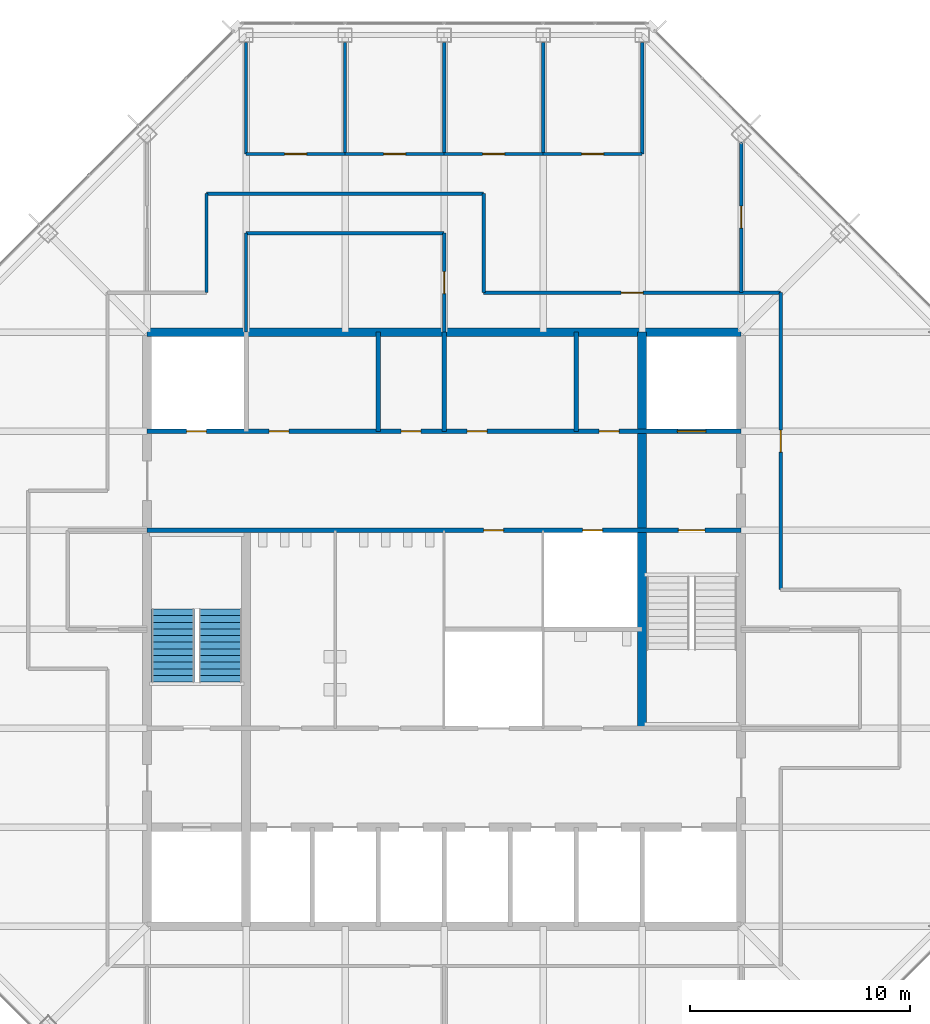
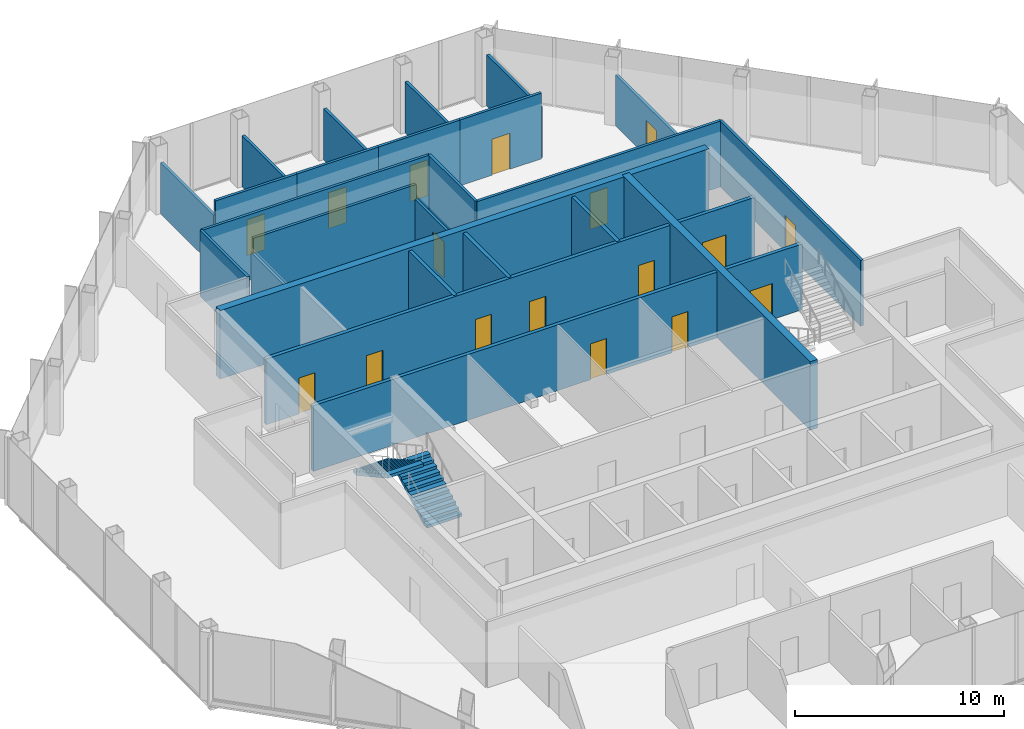
# One storey, part 11 of 14: 25 walls, 17 doors, 2 stair flights, 17 openings, 1 element without a shape of its own.
"""IFC4 building model written with IfcOpenShell, lengths in metres."""

from ifc_helpers import new_model, si_unit, direction, frame, frame_2d, origin, place, context, subcontext, project, spatial, polyline, rectangle, outline, extrude, material, layer, layer_set, type_object, element, fill, aggregate, save


model = new_model("IFC4")

# Units and contexts
model_context = context("Model", 3, precision=1e-05, world=origin(), true_north=direction((0.0, 1.0)))
body_context = subcontext(model_context, "Body", "Model", "MODEL_VIEW")
ifc_project = project(units=[si_unit("LENGTHUNIT", "METRE"), si_unit("AREAUNIT", "SQUARE_METRE"), si_unit("VOLUMEUNIT", "CUBIC_METRE"), si_unit("PLANEANGLEUNIT", "RADIAN"), si_unit("MASSUNIT", "GRAM", prefix="KILO")], contexts=[model_context])

# Site, building, storey
site_placement = place(None, origin())
site = spatial("IfcSite", under=ifc_project, at=site_placement, CompositionType="ELEMENT")
building_placement = place(site_placement, origin())
building = spatial("IfcBuilding", under=site, at=building_placement, Name="Corais Broadcast Tower", CompositionType="ELEMENT")
storey_placement = place(building_placement, frame((0.0, 0.0, 246.60009765625)))
storey = spatial("IfcBuildingStorey", under=building, at=storey_placement, Name="L57", CompositionType="ELEMENT", Elevation=246.60009765625)

# Wall, openings, doors
ifc_material_1 = material(Name="Concrete blockwork class A, grouted, two-hour", Category="masonry")
ifc_layer_1 = layer(ifc_material_1, 0.199951171875)
ifc_layer_set_1 = layer_set([ifc_layer_1], Name="Concrete blockwork class A, grouted, two-hour")
wall_type_1 = type_object("IfcWallType", Name="Core lobby wall 200", PredefinedType="SOLIDWALL", material=ifc_layer_set_1)
wall_1_placement = place(storey_placement, frame((13.5, 31.5, 0.0), z_axis=(0.0, 0.0, 1.0), x_axis=(1.0, 0.0, 0.0)))
wall_1 = element("IfcWall", 1, at=wall_1_placement, inside=storey, type_object=wall_type_1, Name="CL3 core lobby wall Y315 L57", PredefinedType="SOLIDWALL", context=body_context, shape_type="SweptSolid", body=[
    extrude(rectangle(XDim=27.0, YDim=0.199951171875, at=frame_2d((13.5, 0.0))), origin(), (0.0, 0.0, 1.0), 3.83984375),
])
opening_1_placement = place(wall_1_placement, frame((24.14990234375, 0.0, 0.0)))
opening_1 = element("IfcOpeningElement", 2, at=opening_1_placement, cuts=wall_1, Name="Opening FD1", PredefinedType="OPENING", context=body_context, shape_type="SweptSolid", body=[
    extrude(rectangle(XDim=1.199951171875, YDim=2.10009765625, at=frame_2d((0.60009765625, 1.050048828125))), frame((0.0, 0.10986328125, 0.0), z_axis=(0.0, -1.0, 0.0), x_axis=(1.0, 0.0, 0.0)), (0.0, 0.0, 1.0), 0.219970703125),
])
opening_2_placement = place(wall_1_placement, frame((15.300048828125, 0.0, 0.0)))
opening_2 = element("IfcOpeningElement", 3, at=opening_2_placement, cuts=wall_1, Name="Opening RD1", PredefinedType="OPENING", context=body_context, shape_type="SweptSolid", body=[
    extrude(rectangle(XDim=0.89990234375, YDim=2.10009765625, at=frame_2d((0.449951171875, 1.050048828125))), frame((0.0, 0.10986328125, 0.0), z_axis=(0.0, -1.0, 0.0), x_axis=(1.0, 0.0, 0.0)), (0.0, 0.0, 1.0), 0.219970703125),
])
opening_3_placement = place(wall_1_placement, frame((19.800048828125, 0.0, 0.0)))
opening_3 = element("IfcOpeningElement", 4, at=opening_3_placement, cuts=wall_1, Name="Opening RD1", PredefinedType="OPENING", context=body_context, shape_type="SweptSolid", body=[
    extrude(rectangle(XDim=0.89990234375, YDim=2.10009765625, at=frame_2d((0.449951171875, 1.050048828125))), frame((0.0, 0.10986328125, 0.0), z_axis=(0.0, -1.0, 0.0), x_axis=(1.0, 0.0, 0.0)), (0.0, 0.0, 1.0), 0.219970703125),
])
ifc_material_2 = material(Name="Steel fire door", Category="steel")
door_type_1 = type_object("IfcDoorType", Name="Fire door 1200x2100", OperationType="SINGLE_SWING_LEFT", PredefinedType="DOOR", material=ifc_material_2)
door_1_placement = place(opening_1_placement, origin())
door_1 = element("IfcDoor", 5, at=door_1_placement, inside=storey, type_object=door_type_1, Name="FD1 stair B door L57", OperationType="SINGLE_SWING_RIGHT", OverallHeight=2.10009765625, OverallWidth=1.199951171875, PredefinedType="DOOR", context=body_context, shape_type="SweptSolid", body=[
    extrude(rectangle(XDim=1.199951171875, YDim=2.10009765625, at=frame_2d((0.60009765625, 1.050048828125))), frame((0.0, 0.02490234375, 0.0), z_axis=(0.0, -1.0, 0.0), x_axis=(1.0, 0.0, 0.0)), (0.0, 0.0, 1.0), 0.050048828125),
])
fill(opening_1, door_1)
ifc_material_3 = material(Name="Steel fire door", Category="steel")
door_type_2 = type_object("IfcDoorType", Name="Riser door 900x2100", OperationType="SINGLE_SWING_LEFT", PredefinedType="DOOR", material=ifc_material_3)
door_2_placement = place(opening_2_placement, origin())
door_2 = element("IfcDoor", 6, at=door_2_placement, inside=storey, type_object=door_type_2, Name="RD1 print room door L57", OperationType="SINGLE_SWING_RIGHT", OverallHeight=2.10009765625, OverallWidth=0.89990234375, PredefinedType="DOOR", context=body_context, shape_type="SweptSolid", body=[
    extrude(rectangle(XDim=0.89990234375, YDim=2.10009765625, at=frame_2d((0.449951171875, 1.050048828125))), frame((0.0, 0.02490234375, 0.0), z_axis=(0.0, -1.0, 0.0), x_axis=(1.0, 0.0, 0.0)), (0.0, 0.0, 1.0), 0.050048828125),
])
fill(opening_2, door_2)
door_3_placement = place(opening_3_placement, origin())
door_3 = element("IfcDoor", 7, at=door_3_placement, inside=storey, type_object=door_type_2, Name="RD1 riser door L57", OperationType="SINGLE_SWING_RIGHT", OverallHeight=2.10009765625, OverallWidth=0.89990234375, PredefinedType="DOOR", context=body_context, shape_type="SweptSolid", body=[
    extrude(rectangle(XDim=0.89990234375, YDim=2.10009765625, at=frame_2d((0.449951171875, 1.050048828125))), frame((0.0, 0.02490234375, 0.0), z_axis=(0.0, -1.0, 0.0), x_axis=(1.0, 0.0, 0.0)), (0.0, 0.0, 1.0), 0.050048828125),
])
fill(opening_3, door_3)

# Walls
ifc_material_4 = material(Name="Concrete C50/60", Category="concrete")
ifc_layer_2 = layer(ifc_material_4, 0.39990234375)
ifc_layer_set_2 = layer_set([ifc_layer_2], Name="Concrete C50/60")
wall_type_2 = type_object("IfcWallType", Name="Core wall 400", PredefinedType="SHEAR", material=ifc_layer_set_2)
wall_2_placement = place(storey_placement, frame((40.5, 40.5, 0.0), z_axis=(0.0, 0.0, 1.0), x_axis=(-1.0, 0.0, 0.0)))
element("IfcWall", 8, at=wall_2_placement, inside=storey, type_object=wall_type_2, Name="CR400 core wall N L57", PredefinedType="SHEAR", context=body_context, shape_type="SweptSolid", body=[
    extrude(rectangle(XDim=27.0, YDim=0.39990234375, at=frame_2d((13.5, 0.0))), origin(), (0.0, 0.0, 1.0), 4.0),
])
wall_3_placement = place(storey_placement, frame((36.0, 22.5, 0.0), z_axis=(0.0, 0.0, 1.0), x_axis=(0.0, 1.0, 0.0)))
element("IfcWall", 9, at=wall_3_placement, inside=storey, type_object=wall_type_2, Name="CR400 core wall X36B L57", PredefinedType="SHEAR", context=body_context, shape_type="SweptSolid", body=[
    extrude(rectangle(XDim=18.0, YDim=0.39990234375, at=frame_2d((9.0, 0.0))), origin(), (0.0, 0.0, 1.0), 4.0),
])

# Wall, openings, doors
ifc_material_5 = material(Name="Concrete blockwork class A, grouted, four-hour", Category="masonry")
ifc_layer_3 = layer(ifc_material_5, 0.199951171875)
ifc_layer_set_3 = layer_set([ifc_layer_3], Name="Concrete blockwork class A, grouted, four-hour")
wall_type_3 = type_object("IfcWallType", Name="Emergency lift shaft wall 200", PredefinedType="SOLIDWALL", material=ifc_layer_set_3)
wall_4_placement = place(storey_placement, frame((13.5, 36.0, 0.0), z_axis=(0.0, 0.0, 1.0), x_axis=(1.0, 0.0, 0.0)))
wall_4 = element("IfcWall", 10, at=wall_4_placement, inside=storey, type_object=wall_type_3, Name="LS3 core lobby wall Y36 L57", PredefinedType="SOLIDWALL", context=body_context, shape_type="SweptSolid", body=[
    extrude(rectangle(XDim=27.0, YDim=0.199951171875, at=frame_2d((13.5, 0.0))), origin(), (0.0, 0.0, 1.0), 3.83984375),
])
opening_4_placement = place(wall_4_placement, frame((1.800048828125, 0.0, 0.0)))
opening_4 = element("IfcOpeningElement", 11, at=opening_4_placement, cuts=wall_4, Name="Opening RD1", PredefinedType="OPENING", context=body_context, shape_type="SweptSolid", body=[
    extrude(rectangle(XDim=0.89990234375, YDim=2.10009765625, at=frame_2d((0.449951171875, 1.050048828125))), frame((0.0, 0.10986328125, 0.0), z_axis=(0.0, -1.0, 0.0), x_axis=(1.0, 0.0, 0.0)), (0.0, 0.0, 1.0), 0.219970703125),
])
opening_5_placement = place(wall_4_placement, frame((5.550048828125, 0.0, 0.0)))
opening_5 = element("IfcOpeningElement", 12, at=opening_5_placement, cuts=wall_4, Name="Opening RD1", PredefinedType="OPENING", context=body_context, shape_type="SweptSolid", body=[
    extrude(rectangle(XDim=0.89990234375, YDim=2.10009765625, at=frame_2d((0.449951171875, 1.050048828125))), frame((0.0, 0.10986328125, 0.0), z_axis=(0.0, -1.0, 0.0), x_axis=(1.0, 0.0, 0.0)), (0.0, 0.0, 1.0), 0.219970703125),
])
opening_6_placement = place(wall_4_placement, frame((11.550048828125, 0.0, 0.0)))
opening_6 = element("IfcOpeningElement", 13, at=opening_6_placement, cuts=wall_4, Name="Opening RD1", PredefinedType="OPENING", context=body_context, shape_type="SweptSolid", body=[
    extrude(rectangle(XDim=0.89990234375, YDim=2.10009765625, at=frame_2d((0.449951171875, 1.050048828125))), frame((0.0, 0.10986328125, 0.0), z_axis=(0.0, -1.0, 0.0), x_axis=(1.0, 0.0, 0.0)), (0.0, 0.0, 1.0), 0.219970703125),
])
opening_7_placement = place(wall_4_placement, frame((14.550048828125, 0.0, 0.0)))
opening_7 = element("IfcOpeningElement", 14, at=opening_7_placement, cuts=wall_4, Name="Opening RD1", PredefinedType="OPENING", context=body_context, shape_type="SweptSolid", body=[
    extrude(rectangle(XDim=0.89990234375, YDim=2.10009765625, at=frame_2d((0.449951171875, 1.050048828125))), frame((0.0, 0.10986328125, 0.0), z_axis=(0.0, -1.0, 0.0), x_axis=(1.0, 0.0, 0.0)), (0.0, 0.0, 1.0), 0.219970703125),
])
opening_8_placement = place(wall_4_placement, frame((20.550048828125, 0.0, 0.0)))
opening_8 = element("IfcOpeningElement", 15, at=opening_8_placement, cuts=wall_4, Name="Opening RD1", PredefinedType="OPENING", context=body_context, shape_type="SweptSolid", body=[
    extrude(rectangle(XDim=0.89990234375, YDim=2.10009765625, at=frame_2d((0.449951171875, 1.050048828125))), frame((0.0, 0.10986328125, 0.0), z_axis=(0.0, -1.0, 0.0), x_axis=(1.0, 0.0, 0.0)), (0.0, 0.0, 1.0), 0.219970703125),
])
opening_9_placement = place(wall_4_placement, frame((24.10009765625, 0.0, 0.0)))
opening_9 = element("IfcOpeningElement", 16, at=opening_9_placement, cuts=wall_4, Name="Opening LD2", PredefinedType="OPENING", context=body_context, shape_type="SweptSolid", body=[
    extrude(rectangle(XDim=1.300048828125, YDim=2.199951171875, at=frame_2d((0.64990234375, 1.10009765625))), frame((0.0, 0.10986328125, 0.0), z_axis=(0.0, -1.0, 0.0), x_axis=(1.0, 0.0, 0.0)), (0.0, 0.0, 1.0), 0.219970703125),
])
ifc_material_6 = material(Name="Stainless steel lift door", Category="steel")
door_type_3 = type_object("IfcDoorType", Name="Lift landing door 1300x2200", OperationType="SLIDING_TO_LEFT", PredefinedType="DOOR", material=ifc_material_6)
door_4_placement = place(opening_9_placement, origin())
door_4 = element("IfcDoor", 17, at=door_4_placement, inside=storey, type_object=door_type_3, Name="LD2 FL2 landing door L57", OperationType="SLIDING_TO_LEFT", OverallHeight=2.199951171875, OverallWidth=1.300048828125, PredefinedType="DOOR", context=body_context, shape_type="SweptSolid", body=[
    extrude(rectangle(XDim=1.300048828125, YDim=2.199951171875, at=frame_2d((0.64990234375, 1.10009765625))), frame((0.0, 0.02490234375, 0.0), z_axis=(0.0, -1.0, 0.0), x_axis=(1.0, 0.0, 0.0)), (0.0, 0.0, 1.0), 0.050048828125),
])
fill(opening_9, door_4)
door_5_placement = place(opening_4_placement, origin())
door_5 = element("IfcDoor", 18, at=door_5_placement, inside=storey, type_object=door_type_2, Name="RD1 riser door L57", OperationType="SINGLE_SWING_LEFT", OverallHeight=2.10009765625, OverallWidth=0.89990234375, PredefinedType="DOOR", context=body_context, shape_type="SweptSolid", body=[
    extrude(rectangle(XDim=0.89990234375, YDim=2.10009765625, at=frame_2d((0.449951171875, 1.050048828125))), frame((0.0, 0.02490234375, 0.0), z_axis=(0.0, -1.0, 0.0), x_axis=(1.0, 0.0, 0.0)), (0.0, 0.0, 1.0), 0.050048828125),
])
fill(opening_4, door_5)
door_6_placement = place(opening_5_placement, origin())
door_6 = element("IfcDoor", 19, at=door_6_placement, inside=storey, type_object=door_type_2, Name="RD1 media store door L57", OperationType="SINGLE_SWING_LEFT", OverallHeight=2.10009765625, OverallWidth=0.89990234375, PredefinedType="DOOR", context=body_context, shape_type="SweptSolid", body=[
    extrude(rectangle(XDim=0.89990234375, YDim=2.10009765625, at=frame_2d((0.449951171875, 1.050048828125))), frame((0.0, 0.02490234375, 0.0), z_axis=(0.0, -1.0, 0.0), x_axis=(1.0, 0.0, 0.0)), (0.0, 0.0, 1.0), 0.050048828125),
])
fill(opening_5, door_6)
door_7_placement = place(opening_6_placement, origin())
door_7 = element("IfcDoor", 20, at=door_7_placement, inside=storey, type_object=door_type_2, Name="RD1 tea point door L57", OperationType="SINGLE_SWING_LEFT", OverallHeight=2.10009765625, OverallWidth=0.89990234375, PredefinedType="DOOR", context=body_context, shape_type="SweptSolid", body=[
    extrude(rectangle(XDim=0.89990234375, YDim=2.10009765625, at=frame_2d((0.449951171875, 1.050048828125))), frame((0.0, 0.02490234375, 0.0), z_axis=(0.0, -1.0, 0.0), x_axis=(1.0, 0.0, 0.0)), (0.0, 0.0, 1.0), 0.050048828125),
])
fill(opening_6, door_7)
door_8_placement = place(opening_7_placement, origin())
door_8 = element("IfcDoor", 21, at=door_8_placement, inside=storey, type_object=door_type_2, Name="RD1 locker room door L57", OperationType="SINGLE_SWING_RIGHT", OverallHeight=2.10009765625, OverallWidth=0.89990234375, PredefinedType="DOOR", context=body_context, shape_type="SweptSolid", body=[
    extrude(rectangle(XDim=0.89990234375, YDim=2.10009765625, at=frame_2d((0.449951171875, 1.050048828125))), frame((0.0, 0.02490234375, 0.0), z_axis=(0.0, -1.0, 0.0), x_axis=(1.0, 0.0, 0.0)), (0.0, 0.0, 1.0), 0.050048828125),
])
fill(opening_7, door_8)
door_9_placement = place(opening_8_placement, origin())
door_9 = element("IfcDoor", 22, at=door_9_placement, inside=storey, type_object=door_type_2, Name="RD1 wellness room door L57", OperationType="SINGLE_SWING_RIGHT", OverallHeight=2.10009765625, OverallWidth=0.89990234375, PredefinedType="DOOR", context=body_context, shape_type="SweptSolid", body=[
    extrude(rectangle(XDim=0.89990234375, YDim=2.10009765625, at=frame_2d((0.449951171875, 1.050048828125))), frame((0.0, 0.02490234375, 0.0), z_axis=(0.0, -1.0, 0.0), x_axis=(1.0, 0.0, 0.0)), (0.0, 0.0, 1.0), 0.050048828125),
])
fill(opening_8, door_9)

# Wall, opening, door
ifc_material_7 = material(Name="Gypsum board on steel studs", Category="steel")
ifc_layer_4 = layer(ifc_material_7, 0.14990234375)
ifc_layer_set_4 = layer_set([ifc_layer_4], Name="Gypsum board on steel studs")
wall_type_4 = type_object("IfcWallType", Name="Partition 150", PredefinedType="PARTITIONING", material=ifc_layer_set_4)
wall_5_placement = place(storey_placement, frame((42.300048828125, 28.800048828125, 0.0), z_axis=(0.0, 0.0, 1.0), x_axis=(0.0, 1.0, 0.0)))
wall_5 = element("IfcWall", 23, at=wall_5_placement, inside=storey, type_object=wall_type_4, Name="IW3 corridor wall L57", PredefinedType="PARTITIONING", context=body_context, shape_type="SweptSolid", body=[
    extrude(rectangle(XDim=13.5, YDim=0.14990234375, at=frame_2d((6.75, 0.0))), origin(), (0.0, 0.0, 1.0), 3.83984375),
])
opening_10_placement = place(wall_5_placement, frame((6.25, 0.0, 0.0)))
opening_10 = element("IfcOpeningElement", 24, at=opening_10_placement, cuts=wall_5, Name="Opening D1", PredefinedType="OPENING", context=body_context, shape_type="SweptSolid", body=[
    extrude(rectangle(XDim=1.0, YDim=2.10009765625, at=frame_2d((0.5, 1.050048828125))), frame((0.0, 0.0849609375, 0.0), z_axis=(0.0, -1.0, 0.0), x_axis=(1.0, 0.0, 0.0)), (0.0, 0.0, 1.0), 0.169921875),
])
ifc_material_8 = material(Name="Timber door", Category="wood")
door_type_4 = type_object("IfcDoorType", Name="Single door 1000x2100", OperationType="SINGLE_SWING_LEFT", PredefinedType="DOOR", material=ifc_material_8)
door_10_placement = place(opening_10_placement, origin())
door_10 = element("IfcDoor", 25, at=door_10_placement, inside=storey, type_object=door_type_4, Name="D1 workplace door L57", OperationType="SINGLE_SWING_LEFT", OverallHeight=2.10009765625, OverallWidth=1.0, PredefinedType="DOOR", context=body_context, shape_type="SweptSolid", body=[
    extrude(rectangle(XDim=1.0, YDim=2.10009765625, at=frame_2d((0.5, 1.050048828125))), frame((0.0, 0.02490234375, 0.0), z_axis=(0.0, -1.0, 0.0), x_axis=(1.0, 0.0, 0.0)), (0.0, 0.0, 1.0), 0.050048828125),
])
fill(opening_10, door_10)

wall_6_placement = place(storey_placement, frame((42.300048828125, 42.300048828125, 0.0), z_axis=(0.0, 0.0, 1.0), x_axis=(-1.0, 0.0, 0.0)))
wall_6 = element("IfcWall", 26, at=wall_6_placement, inside=storey, type_object=wall_type_4, Name="IW3 corridor wall L57", PredefinedType="PARTITIONING", context=body_context, shape_type="SweptSolid", body=[
    extrude(rectangle(XDim=13.5, YDim=0.14990234375, at=frame_2d((6.75, 0.0))), origin(), (0.0, 0.0, 1.0), 3.83984375),
])
opening_11_placement = place(wall_6_placement, frame((6.25, 0.0, 0.0)))
opening_11 = element("IfcOpeningElement", 27, at=opening_11_placement, cuts=wall_6, Name="Opening D1", PredefinedType="OPENING", context=body_context, shape_type="SweptSolid", body=[
    extrude(rectangle(XDim=1.0, YDim=2.10009765625, at=frame_2d((0.5, 1.050048828125))), frame((0.0, 0.0849609375, 0.0), z_axis=(0.0, -1.0, 0.0), x_axis=(1.0, 0.0, 0.0)), (0.0, 0.0, 1.0), 0.169921875),
])
door_11_placement = place(opening_11_placement, origin())
door_11 = element("IfcDoor", 28, at=door_11_placement, inside=storey, type_object=door_type_4, Name="D1 workplace door L57", OperationType="SINGLE_SWING_LEFT", OverallHeight=2.10009765625, OverallWidth=1.0, PredefinedType="DOOR", context=body_context, shape_type="SweptSolid", body=[
    extrude(rectangle(XDim=1.0, YDim=2.10009765625, at=frame_2d((0.5, 1.050048828125))), frame((0.0, 0.02490234375, 0.0), z_axis=(0.0, -1.0, 0.0), x_axis=(1.0, 0.0, 0.0)), (0.0, 0.0, 1.0), 0.050048828125),
])
fill(opening_11, door_11)

# Walls
wall_7_placement = place(storey_placement, frame((28.800048828125, 46.800048828125, 0.0), z_axis=(0.0, 0.0, 1.0), x_axis=(-1.0, 0.0, 0.0)))
element("IfcWall", 29, at=wall_7_placement, inside=storey, type_object=wall_type_4, Name="IW3 corridor wall L57", PredefinedType="PARTITIONING", context=body_context, shape_type="SweptSolid", body=[
    extrude(rectangle(XDim=12.60009765625, YDim=0.14990234375, at=frame_2d((6.300048828125, 0.0))), origin(), (0.0, 0.0, 1.0), 3.83984375),
])
for number, where, z_axis, x_axis, name in (
    (30, (16.199951171875, 46.800048828125, 0.0), (0.0, 0.0, 1.0), (0.0, -1.0, 0.0), "IW3 corridor wall L57"),
    (31, (28.800048828125, 42.300048828125, 0.0), (0.0, 0.0, 1.0), (0.0, 1.0, 0.0), "IW3 corridor wall L57"),
):
    element("IfcWall", number, at=place(storey_placement, frame(where, z_axis=z_axis, x_axis=x_axis)), inside=storey, type_object=wall_type_4, Name=name, PredefinedType="PARTITIONING", context=body_context, shape_type="SweptSolid", body=[
        extrude(rectangle(XDim=4.5, YDim=0.14990234375, at=frame_2d((2.25, 0.0))), origin(), (0.0, 0.0, 1.0), 3.83984375),
    ])

# Wall, opening, door
wall_8_placement = place(storey_placement, frame((27.0, 40.5, 0.0), z_axis=(0.0, 0.0, 1.0), x_axis=(0.0, 1.0, 0.0)))
wall_8 = element("IfcWall", 32, at=wall_8_placement, inside=storey, type_object=wall_type_4, Name="IW3 partition L57", PredefinedType="PARTITIONING", context=body_context, shape_type="SweptSolid", body=[
    extrude(rectangle(XDim=4.5, YDim=0.14990234375, at=frame_2d((2.25, 0.0))), origin(), (0.0, 0.0, 1.0), 2.989013671875),
])
opening_12_placement = place(wall_8_placement, frame((1.75, 0.0, 0.0)))
opening_12 = element("IfcOpeningElement", 33, at=opening_12_placement, cuts=wall_8, Name="Opening D1", PredefinedType="OPENING", context=body_context, shape_type="SweptSolid", body=[
    extrude(rectangle(XDim=1.0, YDim=2.10009765625, at=frame_2d((0.5, 1.050048828125))), frame((0.0, 0.0849609375, 0.0), z_axis=(0.0, -1.0, 0.0), x_axis=(1.0, 0.0, 0.0)), (0.0, 0.0, 1.0), 0.169921875),
])
door_12_placement = place(opening_12_placement, origin())
door_12 = element("IfcDoor", 34, at=door_12_placement, inside=storey, type_object=door_type_4, Name="D1 Screening meeting room door", OperationType="SINGLE_SWING_LEFT", OverallHeight=2.10009765625, OverallWidth=1.0, PredefinedType="DOOR", context=body_context, shape_type="SweptSolid", body=[
    extrude(rectangle(XDim=1.0, YDim=2.10009765625, at=frame_2d((0.5, 1.050048828125))), frame((0.0, 0.02490234375, 0.0), z_axis=(0.0, -1.0, 0.0), x_axis=(1.0, 0.0, 0.0)), (0.0, 0.0, 1.0), 0.050048828125),
])
fill(opening_12, door_12)

# Walls
wall_9_placement = place(storey_placement, frame((27.0, 45.0, 0.0), z_axis=(0.0, 0.0, 1.0), x_axis=(-1.0, 0.0, 0.0)))
element("IfcWall", 35, at=wall_9_placement, inside=storey, type_object=wall_type_4, Name="IW3 partition L57", PredefinedType="PARTITIONING", context=body_context, shape_type="SweptSolid", body=[
    extrude(rectangle(XDim=9.0, YDim=0.14990234375, at=frame_2d((4.5, 0.0))), origin(), (0.0, 0.0, 1.0), 3.83984375),
])
wall_10_placement = place(storey_placement, frame((18.0, 45.0, 0.0), z_axis=(0.0, 0.0, 1.0), x_axis=(0.0, -1.0, 0.0)))
element("IfcWall", 36, at=wall_10_placement, inside=storey, type_object=wall_type_4, Name="IW3 partition L57", PredefinedType="PARTITIONING", context=body_context, shape_type="SweptSolid", body=[
    extrude(rectangle(XDim=4.5, YDim=0.14990234375, at=frame_2d((2.25, 0.0))), origin(), (0.0, 0.0, 1.0), 2.989013671875),
])

# Wall, opening, door
wall_11_placement = place(storey_placement, frame((18.0, 48.60009765625, 0.0), z_axis=(0.0, 0.0, 1.0), x_axis=(1.0, 0.0, 0.0)))
wall_11 = element("IfcWall", 37, at=wall_11_placement, inside=storey, type_object=wall_type_4, Name="IW3 partition L57", PredefinedType="PARTITIONING", context=body_context, shape_type="SweptSolid", body=[
    extrude(rectangle(XDim=4.5, YDim=0.14990234375, at=frame_2d((2.25, 0.0))), origin(), (0.0, 0.0, 1.0), 3.83984375),
])
opening_13_placement = place(wall_11_placement, frame((1.75, 0.0, 0.0)))
opening_13 = element("IfcOpeningElement", 38, at=opening_13_placement, cuts=wall_11, Name="Opening D1", PredefinedType="OPENING", context=body_context, shape_type="SweptSolid", body=[
    extrude(rectangle(XDim=1.0, YDim=2.10009765625, at=frame_2d((0.5, 1.050048828125))), frame((0.0, 0.0849609375, 0.0), z_axis=(0.0, -1.0, 0.0), x_axis=(1.0, 0.0, 0.0)), (0.0, 0.0, 1.0), 0.169921875),
])
door_13_placement = place(opening_13_placement, origin())
door_13 = element("IfcDoor", 39, at=door_13_placement, inside=storey, type_object=door_type_4, Name="D1 Negotiation meeting room door", OperationType="SINGLE_SWING_LEFT", OverallHeight=2.10009765625, OverallWidth=1.0, PredefinedType="DOOR", context=body_context, shape_type="SweptSolid", body=[
    extrude(rectangle(XDim=1.0, YDim=2.10009765625, at=frame_2d((0.5, 1.050048828125))), frame((0.0, 0.02490234375, 0.0), z_axis=(0.0, -1.0, 0.0), x_axis=(1.0, 0.0, 0.0)), (0.0, 0.0, 1.0), 0.050048828125),
])
fill(opening_13, door_13)

# Walls
for number, where, z_axis, x_axis, name in (
    (40, (22.5, 48.60009765625, 0.0), (0.0, 0.0, 1.0), (0.0, 1.0, 0.0), "IW3 partition L57"),
    (41, (18.0, 53.6650390625, 0.0), (0.0, 0.0, 1.0), (0.0, -1.0, 0.0), "IW3 partition L57"),
):
    element("IfcWall", number, at=place(storey_placement, frame(where, z_axis=z_axis, x_axis=x_axis)), inside=storey, type_object=wall_type_4, Name=name, PredefinedType="PARTITIONING", context=body_context, shape_type="SweptSolid", body=[
        extrude(rectangle(XDim=5.06494140625, YDim=0.14990234375, at=frame_2d((2.532470703125, 0.0))), origin(), (0.0, 0.0, 1.0), 2.989013671875),
    ])

# Wall, opening, door
wall_12_placement = place(storey_placement, frame((22.5, 48.60009765625, 0.0), z_axis=(0.0, 0.0, 1.0), x_axis=(1.0, 0.0, 0.0)))
wall_12 = element("IfcWall", 42, at=wall_12_placement, inside=storey, type_object=wall_type_4, Name="IW3 partition L57", PredefinedType="PARTITIONING", context=body_context, shape_type="SweptSolid", body=[
    extrude(rectangle(XDim=4.5, YDim=0.14990234375, at=frame_2d((2.25, 0.0))), origin(), (0.0, 0.0, 1.0), 3.83984375),
])
opening_14_placement = place(wall_12_placement, frame((1.75, 0.0, 0.0)))
opening_14 = element("IfcOpeningElement", 43, at=opening_14_placement, cuts=wall_12, Name="Opening D1", PredefinedType="OPENING", context=body_context, shape_type="SweptSolid", body=[
    extrude(rectangle(XDim=1.0, YDim=2.10009765625, at=frame_2d((0.5, 1.050048828125))), frame((0.0, 0.0849609375, 0.0), z_axis=(0.0, -1.0, 0.0), x_axis=(1.0, 0.0, 0.0)), (0.0, 0.0, 1.0), 0.169921875),
])
door_14_placement = place(opening_14_placement, origin())
door_14 = element("IfcDoor", 44, at=door_14_placement, inside=storey, type_object=door_type_4, Name="D1 Negotiation meeting room door", OperationType="SINGLE_SWING_LEFT", OverallHeight=2.10009765625, OverallWidth=1.0, PredefinedType="DOOR", context=body_context, shape_type="SweptSolid", body=[
    extrude(rectangle(XDim=1.0, YDim=2.10009765625, at=frame_2d((0.5, 1.050048828125))), frame((0.0, 0.02490234375, 0.0), z_axis=(0.0, -1.0, 0.0), x_axis=(1.0, 0.0, 0.0)), (0.0, 0.0, 1.0), 0.050048828125),
])
fill(opening_14, door_14)

# Wall
wall_13_placement = place(storey_placement, frame((27.0, 48.60009765625, 0.0), z_axis=(0.0, 0.0, 1.0), x_axis=(0.0, 1.0, 0.0)))
element("IfcWall", 45, at=wall_13_placement, inside=storey, type_object=wall_type_4, Name="IW3 partition L57", PredefinedType="PARTITIONING", context=body_context, shape_type="SweptSolid", body=[
    extrude(rectangle(XDim=5.06494140625, YDim=0.14990234375, at=frame_2d((2.532470703125, 0.0))), origin(), (0.0, 0.0, 1.0), 2.989013671875),
])

# Wall, opening, door
wall_14_placement = place(storey_placement, frame((27.0, 48.60009765625, 0.0), z_axis=(0.0, 0.0, 1.0), x_axis=(1.0, 0.0, 0.0)))
wall_14 = element("IfcWall", 46, at=wall_14_placement, inside=storey, type_object=wall_type_4, Name="IW3 partition L57", PredefinedType="PARTITIONING", context=body_context, shape_type="SweptSolid", body=[
    extrude(rectangle(XDim=4.5, YDim=0.14990234375, at=frame_2d((2.25, 0.0))), origin(), (0.0, 0.0, 1.0), 3.83984375),
])
opening_15_placement = place(wall_14_placement, frame((1.75, 0.0, 0.0)))
opening_15 = element("IfcOpeningElement", 47, at=opening_15_placement, cuts=wall_14, Name="Opening D1", PredefinedType="OPENING", context=body_context, shape_type="SweptSolid", body=[
    extrude(rectangle(XDim=1.0, YDim=2.10009765625, at=frame_2d((0.5, 1.050048828125))), frame((0.0, 0.0849609375, 0.0), z_axis=(0.0, -1.0, 0.0), x_axis=(1.0, 0.0, 0.0)), (0.0, 0.0, 1.0), 0.169921875),
])
door_15_placement = place(opening_15_placement, origin())
door_15 = element("IfcDoor", 48, at=door_15_placement, inside=storey, type_object=door_type_4, Name="D1 Negotiation meeting room door", OperationType="SINGLE_SWING_LEFT", OverallHeight=2.10009765625, OverallWidth=1.0, PredefinedType="DOOR", context=body_context, shape_type="SweptSolid", body=[
    extrude(rectangle(XDim=1.0, YDim=2.10009765625, at=frame_2d((0.5, 1.050048828125))), frame((0.0, 0.02490234375, 0.0), z_axis=(0.0, -1.0, 0.0), x_axis=(1.0, 0.0, 0.0)), (0.0, 0.0, 1.0), 0.050048828125),
])
fill(opening_15, door_15)

# Wall
wall_15_placement = place(storey_placement, frame((31.5, 48.60009765625, 0.0), z_axis=(0.0, 0.0, 1.0), x_axis=(0.0, 1.0, 0.0)))
element("IfcWall", 49, at=wall_15_placement, inside=storey, type_object=wall_type_4, Name="IW3 partition L57", PredefinedType="PARTITIONING", context=body_context, shape_type="SweptSolid", body=[
    extrude(rectangle(XDim=5.06494140625, YDim=0.14990234375, at=frame_2d((2.532470703125, 0.0))), origin(), (0.0, 0.0, 1.0), 2.989013671875),
])

# Wall, opening, door
wall_16_placement = place(storey_placement, frame((31.5, 48.60009765625, 0.0), z_axis=(0.0, 0.0, 1.0), x_axis=(1.0, 0.0, 0.0)))
wall_16 = element("IfcWall", 50, at=wall_16_placement, inside=storey, type_object=wall_type_4, Name="IW3 partition L57", PredefinedType="PARTITIONING", context=body_context, shape_type="SweptSolid", body=[
    extrude(rectangle(XDim=4.5, YDim=0.14990234375, at=frame_2d((2.25, 0.0))), origin(), (0.0, 0.0, 1.0), 3.83984375),
])
opening_16_placement = place(wall_16_placement, frame((1.75, 0.0, 0.0)))
opening_16 = element("IfcOpeningElement", 51, at=opening_16_placement, cuts=wall_16, Name="Opening D1", PredefinedType="OPENING", context=body_context, shape_type="SweptSolid", body=[
    extrude(rectangle(XDim=1.0, YDim=2.10009765625, at=frame_2d((0.5, 1.050048828125))), frame((0.0, 0.0849609375, 0.0), z_axis=(0.0, -1.0, 0.0), x_axis=(1.0, 0.0, 0.0)), (0.0, 0.0, 1.0), 0.169921875),
])
door_16_placement = place(opening_16_placement, origin())
door_16 = element("IfcDoor", 52, at=door_16_placement, inside=storey, type_object=door_type_4, Name="D1 Negotiation meeting room door", OperationType="SINGLE_SWING_LEFT", OverallHeight=2.10009765625, OverallWidth=1.0, PredefinedType="DOOR", context=body_context, shape_type="SweptSolid", body=[
    extrude(rectangle(XDim=1.0, YDim=2.10009765625, at=frame_2d((0.5, 1.050048828125))), frame((0.0, 0.02490234375, 0.0), z_axis=(0.0, -1.0, 0.0), x_axis=(1.0, 0.0, 0.0)), (0.0, 0.0, 1.0), 0.050048828125),
])
fill(opening_16, door_16)

# Wall
wall_17_placement = place(storey_placement, frame((36.0, 48.60009765625, 0.0), z_axis=(0.0, 0.0, 1.0), x_axis=(0.0, 1.0, 0.0)))
element("IfcWall", 53, at=wall_17_placement, inside=storey, type_object=wall_type_4, Name="IW3 partition L57", PredefinedType="PARTITIONING", context=body_context, shape_type="SweptSolid", body=[
    extrude(rectangle(XDim=5.06494140625, YDim=0.14990234375, at=frame_2d((2.532470703125, 0.0))), origin(), (0.0, 0.0, 1.0), 2.989013671875),
])

# Wall, opening, door
wall_18_placement = place(storey_placement, frame((40.5, 49.155029296875, 0.0), z_axis=(0.0, 0.0, 1.0), x_axis=(0.0, -1.0, 0.0)))
wall_18 = element("IfcWall", 54, at=wall_18_placement, inside=storey, type_object=wall_type_4, Name="IW3 partition L57", PredefinedType="PARTITIONING", context=body_context, shape_type="SweptSolid", body=[
    extrude(rectangle(XDim=6.85498046875, YDim=0.14990234375, at=frame_2d((3.427490234375, 0.0))), origin(), (0.0, 0.0, 1.0), 2.989013671875),
])
opening_17_placement = place(wall_18_placement, frame((2.927490234375, 0.0, 0.0)))
opening_17 = element("IfcOpeningElement", 55, at=opening_17_placement, cuts=wall_18, Name="Opening D1", PredefinedType="OPENING", context=body_context, shape_type="SweptSolid", body=[
    extrude(rectangle(XDim=1.0, YDim=2.10009765625, at=frame_2d((0.5, 1.050048828125))), frame((0.0, 0.0849609375, 0.0), z_axis=(0.0, -1.0, 0.0), x_axis=(1.0, 0.0, 0.0)), (0.0, 0.0, 1.0), 0.169921875),
])
door_17_placement = place(opening_17_placement, origin())
door_17 = element("IfcDoor", 56, at=door_17_placement, inside=storey, type_object=door_type_4, Name="D1 team room door L57", OperationType="SINGLE_SWING_LEFT", OverallHeight=2.10009765625, OverallWidth=1.0, PredefinedType="DOOR", context=body_context, shape_type="SweptSolid", body=[
    extrude(rectangle(XDim=1.0, YDim=2.10009765625, at=frame_2d((0.5, 1.050048828125))), frame((0.0, 0.02490234375, 0.0), z_axis=(0.0, -1.0, 0.0), x_axis=(1.0, 0.0, 0.0)), (0.0, 0.0, 1.0), 0.050048828125),
])
fill(opening_17, door_17)

# Walls
ifc_material_9 = material(Name="Concrete blockwork class A, grouted, two-hour", Category="masonry")
ifc_layer_5 = layer(ifc_material_9, 0.199951171875)
ifc_layer_set_5 = layer_set([ifc_layer_5], Name="Concrete blockwork class A, grouted, two-hour")
wall_type_5 = type_object("IfcWallType", Name="Shaft wall 200", PredefinedType="PARTITIONING", material=ifc_layer_set_5)
for number, where, z_axis, x_axis, name in (
    (57, (24.0, 36.0, 0.0), (0.0, 0.0, 1.0), (0.0, 1.0, 0.0), "IW1 shaft wall L57"),
    (58, (27.0, 36.0, 0.0), (0.0, 0.0, 1.0), (0.0, 1.0, 0.0), "IW1 shaft wall L57"),
    (59, (33.0, 36.0, 0.0), (0.0, 0.0, 1.0), (0.0, 1.0, 0.0), "IW1 shaft wall L57"),
):
    element("IfcWall", number, at=place(storey_placement, frame(where, z_axis=z_axis, x_axis=x_axis)), inside=storey, type_object=wall_type_5, Name=name, PredefinedType="PARTITIONING", context=body_context, shape_type="SweptSolid", body=[
        extrude(rectangle(XDim=4.5, YDim=0.199951171875, at=frame_2d((2.25, 0.0))), origin(), (0.0, 0.0, 1.0), 3.83984375),
    ])

# Stair, stair flights
ifc_material_10 = material(Name="Concrete C30/37", Category="concrete")
stair_type = type_object("IfcStairType", Name="Half-turn stair 4000", PredefinedType="HALF_TURN_STAIR", material=ifc_material_10)
stair_placement = place(storey_placement, origin())
stair = element("IfcStair", 60, at=stair_placement, inside=storey, type_object=stair_type, Name="Stair A L57", PredefinedType="HALF_TURN_STAIR")
ifc_material_11 = material(Name="Concrete C30/37", Category="concrete")
stair_flight_type = type_object("IfcStairFlightType", Name="Stair flight 4000", PredefinedType="STRAIGHT", material=ifc_material_11)
stair_flight_1_placement = place(storey_placement, frame((16.824951171875, 24.60009765625, 0.0), z_axis=(0.0, 0.0, 1.0), x_axis=(0.0, 1.0, 0.0)))
stair_flight_1 = element("IfcStairFlight", 61, at=stair_flight_1_placement, type_object=stair_flight_type, Name="STA flight 1", NumberOfRisers=12, NumberOfTreads=11, PredefinedType="STRAIGHT", RiserHeight=0.166666667, TreadLength=0.302, context=body_context, shape_type="SweptSolid", body=[
    extrude(outline(polyline([(0.0, 0.0), (0.0, 0.166748046875), (0.302001953125, 0.166748046875), (0.302001953125, 0.333251953125), (0.60400390625, 0.333251953125), (0.60400390625, 0.5), (0.906005859375, 0.5), (0.906005859375, 0.666748046875), (1.2080078125, 0.666748046875), (1.2080078125, 0.833251953125), (1.510009765625, 0.833251953125), (1.510009765625, 1.0), (1.81201171875, 1.0), (1.81201171875, 1.166748046875), (2.114013671875, 1.166748046875), (2.114013671875, 1.333251953125), (2.416015625, 1.333251953125), (2.416015625, 1.5), (2.718017578125, 1.5), (2.718017578125, 1.666748046875), (3.02001953125, 1.666748046875), (3.02001953125, 1.833251953125), (3.322021484375, 1.833251953125), (3.322021484375, 2.0), (3.322021484375, 1.662109375), (0.310302734375, 0.0), (0.0, 0.0)])), frame((0.0, 0.97509765625, 0.0), z_axis=(0.0, -1.0, 0.0), x_axis=(1.0, 0.0, 0.0)), (0.0, 0.0, 1.0), 1.949951171875),
])
stair_flight_2_placement = place(storey_placement, frame((14.675048828125, 27.922119140625, 2.0), z_axis=(0.0, 0.0, 1.0), x_axis=(0.0, -1.0, 0.0)))
stair_flight_2 = element("IfcStairFlight", 62, at=stair_flight_2_placement, type_object=stair_flight_type, Name="STA flight 2", NumberOfRisers=12, NumberOfTreads=11, PredefinedType="STRAIGHT", RiserHeight=0.166666667, TreadLength=0.302, context=body_context, shape_type="SweptSolid", body=[
    extrude(outline(polyline([(0.0, 0.0), (0.0, 0.166748046875), (0.302001953125, 0.166748046875), (0.302001953125, 0.333251953125), (0.60400390625, 0.333251953125), (0.60400390625, 0.5), (0.906005859375, 0.5), (0.906005859375, 0.666748046875), (1.2080078125, 0.666748046875), (1.2080078125, 0.833251953125), (1.510009765625, 0.833251953125), (1.510009765625, 1.0), (1.81201171875, 1.0), (1.81201171875, 1.166748046875), (2.114013671875, 1.166748046875), (2.114013671875, 1.333251953125), (2.416015625, 1.333251953125), (2.416015625, 1.5), (2.718017578125, 1.5), (2.718017578125, 1.666748046875), (3.02001953125, 1.666748046875), (3.02001953125, 1.833251953125), (3.322021484375, 1.833251953125), (3.322021484375, 2.0), (3.322021484375, 1.662109375), (0.310302734375, 0.0), (0.0, 0.0)])), frame((0.0, 0.97509765625, 0.0), z_axis=(0.0, -1.0, 0.0), x_axis=(1.0, 0.0, 0.0)), (0.0, 0.0, 1.0), 1.949951171875),
])
aggregate(stair, [stair_flight_1, stair_flight_2])

save(model, "model.ifc")
